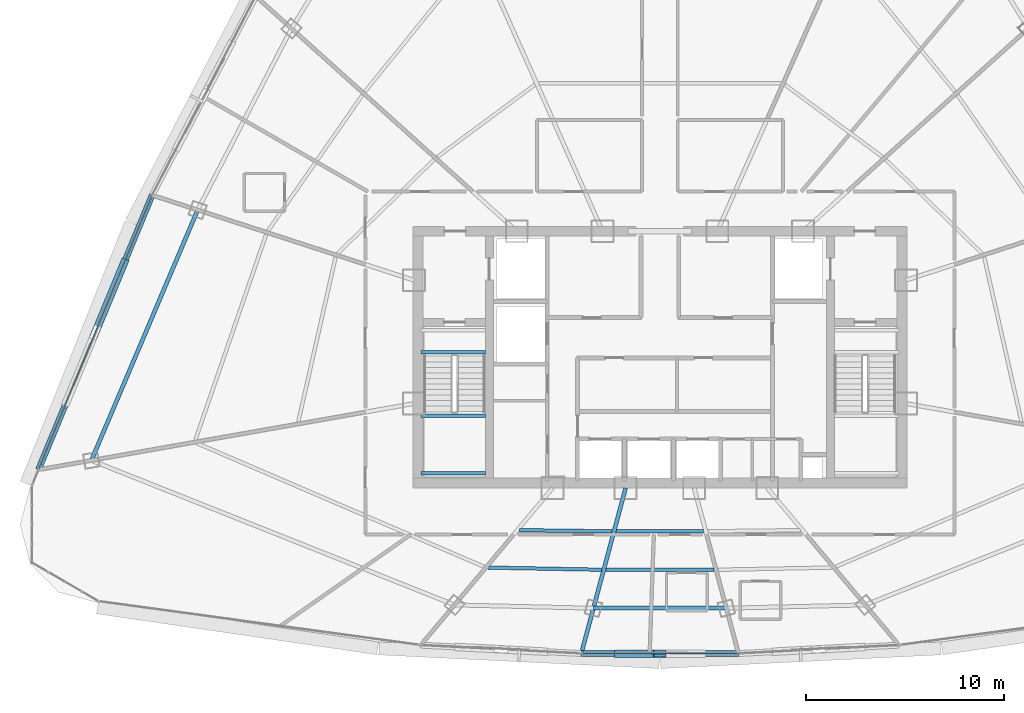
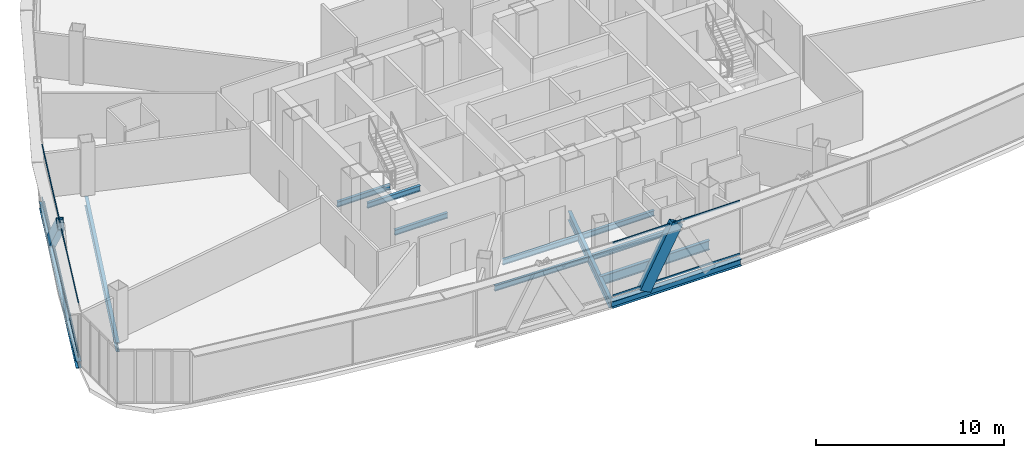
# One storey, part 7 of 40: 12 beams, 6 members, 2 elements without a shape of their own.
"""IFC4 building model written with IfcOpenShell, lengths in metres."""

from ifc_helpers import new_model, si_unit, direction, frame, origin, origin_2d, place, context, subcontext, project, spatial, hollow_rectangle, i_section, extrude, source, transform, mapped, material, layer, layer_set, material_profile, profile_set, type_object, element, aggregate, save


model = new_model("IFC4")

# Units and contexts
model_context = context("Model", 3, precision=1e-05, world=origin(), true_north=direction((0.0, 1.0)))
body_context = subcontext(model_context, "Body", "Model", "MODEL_VIEW")
ifc_project = project(units=[si_unit("LENGTHUNIT", "METRE"), si_unit("AREAUNIT", "SQUARE_METRE"), si_unit("VOLUMEUNIT", "CUBIC_METRE"), si_unit("PLANEANGLEUNIT", "RADIAN"), si_unit("MASSUNIT", "GRAM", prefix="KILO"), si_unit("THERMODYNAMICTEMPERATUREUNIT", "KELVIN"), si_unit("POWERUNIT", "WATT")], contexts=[model_context])

# Site, building, storey
site_placement = place(None, origin())
site = spatial("IfcSite", under=ifc_project, at=site_placement, CompositionType="ELEMENT")
building_placement = place(site_placement, origin())
building = spatial("IfcBuilding", under=site, at=building_placement, Name="Yunzhuo Pagoda Commons", CompositionType="ELEMENT")
storey_placement = place(building_placement, frame((0.0, 0.0, 292.47998046875)))
storey = spatial("IfcBuildingStorey", under=building, at=storey_placement, Name="L73", CompositionType="ELEMENT", Elevation=292.47998046875)

# Beams
ifc_material_1 = material(Name="Structural steel Q355B", Category="steel")
ifc_material_profile_1 = material_profile(ifc_material_1, i_section(OverallWidth=0.175048828125, OverallDepth=0.35009765625, WebThickness=0.007080078125, FlangeThickness=0.010986328125, at=origin_2d()), Name="Structural steel Q355B")
ifc_profile_set_1 = profile_set([ifc_material_profile_1], Name="Structural steel Q355B")
beam_type_1 = type_object("IfcBeamType", Name="B-JS2 Joist HN 350x175x7x11", PredefinedType="JOIST", material=ifc_profile_set_1)
shared_shape_1 = source(origin(), body_context, "Body", "SweptSolid", [
    extrude(i_section(OverallWidth=0.175048828125, OverallDepth=0.35009765625, WebThickness=0.007080078125, FlangeThickness=0.010986328125, at=origin_2d()), origin(), (0.0, 0.0, 1.0), 3.25),
])
for number, where, z_axis, x_axis, name in (
    (1, (35.949951171875, 28.0, 1.489990234375), (1.0, 0.0, 0.0), (0.0, 1.0, 0.0), "L73 ST1 landing support beam 79A"),
    (2, (35.949951171875, 30.89990234375, 1.489990234375), (1.0, 0.0, 0.0), (0.0, 1.0, 0.0), "L73 ST1 landing support beam 79B"),
    (3, (35.949951171875, 34.10009765625, -0.374755859375), (1.0, 0.0, 0.0), (0.0, 1.0, 0.0), "L73 ST1 landing support beam 177A"),
):
    element("IfcBeam", number, at=place(storey_placement, frame(where, z_axis=z_axis, x_axis=x_axis)), inside=storey, type_object=beam_type_1, Name=name, PredefinedType="JOIST", context=body_context, shape_type="MappedRepresentation", body=[
        mapped(shared_shape_1, transform((0.0, 0.0, 0.0), scale=1.0)),
    ])
shared_shape_2 = source(origin(), body_context, "Body", "SweptSolid", [
    extrude(i_section(OverallWidth=0.175048828125, OverallDepth=0.35009765625, WebThickness=0.007080078125, FlangeThickness=0.010986328125, at=origin_2d()), origin(), (0.0, 0.0, 1.0), 4.64892578125),
])
beam_1_placement = place(storey_placement, frame((40.924072265625, 25.12890625, -0.43505859375), z_axis=(0.999924495467, -0.012288342626, 0.0), x_axis=(0.012288342626, 0.999924495467, 0.0)))
element("IfcBeam", 4, at=beam_1_placement, inside=storey, type_object=beam_type_1, Name="L73 composite ring joist 1.1", PredefinedType="JOIST", context=body_context, shape_type="MappedRepresentation", body=[
    mapped(shared_shape_2, transform((0.0, 0.0, 0.0), scale=1.0)),
])
shared_shape_3 = source(origin(), body_context, "Body", "SweptSolid", [
    extrude(i_section(OverallWidth=0.175048828125, OverallDepth=0.35009765625, WebThickness=0.007080078125, FlangeThickness=0.010986328125, at=origin_2d()), origin(), (0.0, 0.0, 1.0), 5.711669921875),
])
beam_2_placement = place(storey_placement, frame((39.343017578125, 23.24365234375, -0.43505859375), z_axis=(0.999819084998, -0.019020969297, 0.0), x_axis=(0.019020969297, 0.999819084998, 0.0)))
element("IfcBeam", 5, at=beam_2_placement, inside=storey, type_object=beam_type_1, Name="L73 composite ring joist 2.1", PredefinedType="JOIST", context=body_context, shape_type="MappedRepresentation", body=[
    mapped(shared_shape_3, transform((0.0, 0.0, 0.0), scale=1.0)),
])
ifc_material_profile_2 = material_profile(ifc_material_1, i_section(OverallWidth=0.199951171875, OverallDepth=0.60009765625, WebThickness=0.010986328125, FlangeThickness=0.01708984375, at=origin_2d()), Name="Structural steel Q355B")
ifc_profile_set_2 = profile_set([ifc_material_profile_2], Name="Structural steel Q355B")
beam_type_2 = type_object("IfcBeamType", Name="B-RG3 Beam HN 600x200x11x17", PredefinedType="BEAM", material=ifc_profile_set_2)
shared_shape_4 = source(origin(), body_context, "Body", "SweptSolid", [
    extrude(i_section(OverallWidth=0.199951171875, OverallDepth=0.60009765625, WebThickness=0.010986328125, FlangeThickness=0.01708984375, at=origin_2d()), origin(), (0.0, 0.0, 1.0), 6.701171875),
])
beam_3_placement = place(storey_placement, frame((44.6494140625, 21.195556640625, -0.56005859375), z_axis=(1.0, 0.0, 0.0), x_axis=(0.0, 1.0, 0.0)))
element("IfcBeam", 6, at=beam_3_placement, inside=storey, type_object=beam_type_2, Name="L73 column-ring beam 2", PredefinedType="BEAM", context=body_context, shape_type="MappedRepresentation", body=[
    mapped(shared_shape_4, transform((0.0, 0.0, 0.0), scale=1.0)),
])
shared_shape_5 = source(origin(), body_context, "Body", "SweptSolid", [
    extrude(i_section(OverallWidth=0.175048828125, OverallDepth=0.35009765625, WebThickness=0.007080078125, FlangeThickness=0.010986328125, at=origin_2d()), origin(), (0.0, 0.0, 1.0), 4.39453125),
])
beam_4_placement = place(storey_placement, frame((45.802734375, 25.070556640625, -0.43505859375), z_axis=(1.0, 0.0, 0.0), x_axis=(0.0, 1.0, 0.0)))
element("IfcBeam", 7, at=beam_4_placement, inside=storey, type_object=beam_type_1, Name="L73 composite ring joist 1.2", PredefinedType="JOIST", context=body_context, shape_type="MappedRepresentation", body=[
    mapped(shared_shape_5, transform((0.0, 0.0, 0.0), scale=1.0)),
])
shared_shape_6 = source(origin(), body_context, "Body", "SweptSolid", [
    extrude(i_section(OverallWidth=0.175048828125, OverallDepth=0.35009765625, WebThickness=0.007080078125, FlangeThickness=0.010986328125, at=origin_2d()), origin(), (0.0, 0.0, 1.0), 5.43310546875),
])
beam_5_placement = place(storey_placement, frame((45.283447265625, 23.133056640625, -0.43505859375), z_axis=(1.0, 0.0, 0.0), x_axis=(0.0, 1.0, 0.0)))
element("IfcBeam", 8, at=beam_5_placement, inside=storey, type_object=beam_type_1, Name="L73 composite ring joist 2.2", PredefinedType="JOIST", context=body_context, shape_type="MappedRepresentation", body=[
    mapped(shared_shape_6, transform((0.0, 0.0, 0.0), scale=1.0)),
])
shared_shape_7 = source(origin(), body_context, "Body", "SweptSolid", [
    extrude(i_section(OverallWidth=0.199951171875, OverallDepth=0.60009765625, WebThickness=0.010986328125, FlangeThickness=0.01708984375, at=origin_2d()), origin(), (0.0, 0.0, 1.0), 13.715576171875),
])
beam_6_placement = place(storey_placement, frame((24.697509765625, 41.271484375, -0.56005859375), z_axis=(-0.390733146992, -0.920503996646, 0.0), x_axis=(0.920503996646, -0.390733146992, 0.0)))
element("IfcBeam", 9, at=beam_6_placement, inside=storey, type_object=beam_type_2, Name="L73 column-ring beam 11", PredefinedType="BEAM", context=body_context, shape_type="MappedRepresentation", body=[
    mapped(shared_shape_7, transform((0.0, 0.0, 0.0), scale=1.0)),
])
shared_shape_8 = source(origin(), body_context, "Body", "SweptSolid", [
    extrude(i_section(OverallWidth=0.199951171875, OverallDepth=0.60009765625, WebThickness=0.010986328125, FlangeThickness=0.01708984375, at=origin_2d()), origin(), (0.0, 0.0, 1.0), 8.478759765625),
])
beam_7_placement = place(storey_placement, frame((44.077392578125, 19.060302734375, -0.56005859375), z_axis=(0.258836355835, 0.965921187726, 0.0), x_axis=(-0.965921187726, 0.258836355835, 0.0)))
element("IfcBeam", 10, at=beam_7_placement, inside=storey, type_object=beam_type_2, Name="L73 radial floor girder F1C2", PredefinedType="BEAM", context=body_context, shape_type="MappedRepresentation", body=[
    mapped(shared_shape_8, transform((0.0, 0.0, 0.0), scale=1.0)),
])
ifc_material_profile_3 = material_profile(ifc_material_1, i_section(OverallWidth=0.300048828125, OverallDepth=0.43994140625, WebThickness=0.010986328125, FlangeThickness=0.01806640625, at=origin_2d()), Name="Structural steel Q355B")
ifc_profile_set_3 = profile_set([ifc_material_profile_3], Name="Structural steel Q355B")
beam_type_3 = type_object("IfcBeamType", Name="B-SP2 Beam HM 440x300x11x18", PredefinedType="BEAM", material=ifc_profile_set_3)
shared_shape_9 = source(origin(), body_context, "Body", "SweptSolid", [
    extrude(i_section(OverallWidth=0.300048828125, OverallDepth=0.43994140625, WebThickness=0.010986328125, FlangeThickness=0.01806640625, at=origin_2d()), origin(), (0.0, 0.0, 1.0), 7.92578125),
])
beam_8_placement = place(storey_placement, frame((44.037109375, 18.910888671875, -0.47998046875), z_axis=(1.0, 0.0, 0.0), x_axis=(0.0, 1.0, 0.0)))
element("IfcBeam", 11, at=beam_8_placement, inside=storey, type_object=beam_type_3, Name="L73 facade edge spandrel beam F1.2", PredefinedType="BEAM", context=body_context, shape_type="MappedRepresentation", body=[
    mapped(shared_shape_9, transform((0.0, 0.0, 0.0), scale=1.0)),
])
shared_shape_10 = source(origin(), body_context, "Body", "SweptSolid", [
    extrude(i_section(OverallWidth=0.300048828125, OverallDepth=0.43994140625, WebThickness=0.010986328125, FlangeThickness=0.01806640625, at=origin_2d()), origin(), (0.0, 0.0, 1.0), 14.982421875),
])
beam_9_placement = place(storey_placement, frame((22.40087890625, 42.017578125, -0.47998046875), z_axis=(-0.382626675999, -0.923903039725, 0.0), x_axis=(0.923903039725, -0.382626675999, 0.0)))
element("IfcBeam", 12, at=beam_9_placement, inside=storey, type_object=beam_type_3, Name="L73 facade edge spandrel beam F3.3", PredefinedType="BEAM", context=body_context, shape_type="MappedRepresentation", body=[
    mapped(shared_shape_10, transform((0.0, 0.0, 0.0), scale=1.0)),
])

# Members
ifc_material_profile_4 = material_profile(ifc_material_1, hollow_rectangle(XDim=0.3798828125, YDim=0.719970703125, WallThickness=0.02001953125, at=origin_2d()), Name="Structural steel Q355B")
ifc_profile_set_4 = profile_set([ifc_material_profile_4], Name="Structural steel Q355B")
member_type_1 = type_object("IfcMemberType", Name="M-DL3 Brace BOX 720x380x20", PredefinedType="BRACE", material=ifc_profile_set_4)
shared_shape_11 = source(origin(), body_context, "Body", "SweptSolid", [
    extrude(hollow_rectangle(XDim=0.3798828125, YDim=0.719970703125, WallThickness=0.02001953125, at=origin_2d()), origin(), (0.0, 0.0, 1.0), 4.2236328125),
])
member_1_placement = place(storey_placement, frame((46.0185546875, 18.910888671875, -0.260009765625), z_axis=(0.469135503, 0.0, 0.883126196998), x_axis=(0.0, 1.0, 0.0)))
element("IfcMember", 13, at=member_1_placement, inside=storey, type_object=member_type_1, Name="L73 facade diamond brace F1.2L", PredefinedType="BRACE", context=body_context, shape_type="MappedRepresentation", body=[
    mapped(shared_shape_11, transform((0.0, 0.0, 0.0), scale=1.0)),
])
shared_shape_12 = source(origin(), body_context, "Body", "SweptSolid", [
    extrude(hollow_rectangle(XDim=0.3798828125, YDim=0.719970703125, WallThickness=0.02001953125, at=origin_2d()), origin(), (0.0, 0.0, 1.0), 5.285888671875),
])
member_2_placement = place(storey_placement, frame((20.9677734375, 38.55712890625, -0.260009765625), z_axis=(-0.27111603454, -0.654650540643, 0.705640677293), x_axis=(0.923904028933, -0.382624287416, 0.0)))
element("IfcMember", 14, at=member_2_placement, inside=storey, type_object=member_type_1, Name="L73 facade diamond brace F3.3L", PredefinedType="BRACE", context=body_context, shape_type="MappedRepresentation", body=[
    mapped(shared_shape_12, transform((0.0, 0.0, 0.0), scale=1.0)),
])

# Curtain wall, members
ifc_material_2 = material(Name="Anodized aluminium 6063-T6", Category="aluminium")
ifc_layer = layer(ifc_material_2, 0.139892578125)
ifc_layer_set = layer_set([ifc_layer], Name="Anodized aluminium 6063-T6")
curtain_wall_type = type_object("IfcCurtainWallType", Name="CW-HI High-Zone Ribbon Curtain Wall", PredefinedType="NOTDEFINED", material=ifc_layer_set)
curtain_wall_1_placement = place(storey_placement, origin())
curtain_wall_1 = element("IfcCurtainWall", 15, at=curtain_wall_1_placement, inside=storey, type_object=curtain_wall_type, Name="L73 curtain wall CW-L73-F1B3", PredefinedType="NOTDEFINED")
ifc_material_profile_5 = material_profile(ifc_material_2, hollow_rectangle(XDim=0.054931640625, YDim=0.1201171875, WallThickness=0.00341796875, at=origin_2d()), Name="Anodized aluminium 6063-T6")
ifc_profile_set_5 = profile_set([ifc_material_profile_5], Name="Anodized aluminium 6063-T6")
member_type_2 = type_object("IfcMemberType", Name="CW-HI-T Transom RHS 120x55x3.5", PredefinedType="USERDEFINED", material=ifc_profile_set_5)
shared_shape_13 = source(origin(), body_context, "Body", "SweptSolid", [
    extrude(hollow_rectangle(XDim=0.054931640625, YDim=0.1201171875, WallThickness=0.00341796875, at=origin_2d()), origin(), (0.0, 0.0, 1.0), 7.8056640625),
])
member_3_placement = place(storey_placement, frame((44.09716796875, 18.910888671875, 0.027587890625), z_axis=(1.0, 0.0, 0.0), x_axis=(0.0, 1.0, 0.0)))
member_3 = element("IfcMember", 16, at=member_3_placement, type_object=member_type_2, Name="CW transom 1.1", ObjectType="TRANSOM", PredefinedType="USERDEFINED", context=body_context, shape_type="MappedRepresentation", body=[
    mapped(shared_shape_13, transform((0.0, 0.0, 0.0), scale=1.0)),
])
member_4_placement = place(storey_placement, frame((44.09716796875, 18.910888671875, 3.442626953125), z_axis=(1.0, 0.0, 0.0), x_axis=(0.0, 1.0, 0.0)))
member_4 = element("IfcMember", 17, at=member_4_placement, type_object=member_type_2, Name="CW transom 1.2", ObjectType="TRANSOM", PredefinedType="USERDEFINED", context=body_context, shape_type="MappedRepresentation", body=[
    mapped(shared_shape_13, transform((0.0, 0.0, 0.0), scale=1.0)),
])
aggregate(curtain_wall_1, [member_3, member_4])

curtain_wall_2_placement = place(storey_placement, origin())
curtain_wall_2 = element("IfcCurtainWall", 18, at=curtain_wall_2_placement, inside=storey, type_object=curtain_wall_type, Name="L73 curtain wall CW-L73-F3B4", PredefinedType="NOTDEFINED")
shared_shape_14 = source(origin(), body_context, "Body", "SweptSolid", [
    extrude(hollow_rectangle(XDim=0.054931640625, YDim=0.1201171875, WallThickness=0.00341796875, at=origin_2d()), origin(), (0.0, 0.0, 1.0), 14.862548828125),
])
member_5_placement = place(storey_placement, frame((22.3779296875, 41.962158203125, 0.027587890625), z_axis=(-0.382626960401, -0.923902921943, 0.0), x_axis=(0.923902921943, -0.382626960401, 0.0)))
member_5 = element("IfcMember", 19, at=member_5_placement, type_object=member_type_2, Name="CW transom 1.1", ObjectType="TRANSOM", PredefinedType="USERDEFINED", context=body_context, shape_type="MappedRepresentation", body=[
    mapped(shared_shape_14, transform((0.0, 0.0, 0.0), scale=1.0)),
])
member_6_placement = place(storey_placement, frame((22.3779296875, 41.962158203125, 3.442626953125), z_axis=(-0.382626960401, -0.923902921943, 0.0), x_axis=(0.923902921943, -0.382626960401, 0.0)))
member_6 = element("IfcMember", 20, at=member_6_placement, type_object=member_type_2, Name="CW transom 1.2", ObjectType="TRANSOM", PredefinedType="USERDEFINED", context=body_context, shape_type="MappedRepresentation", body=[
    mapped(shared_shape_14, transform((0.0, 0.0, 0.0), scale=1.0)),
])
aggregate(curtain_wall_2, [member_5, member_6])

save(model, "model.ifc")
